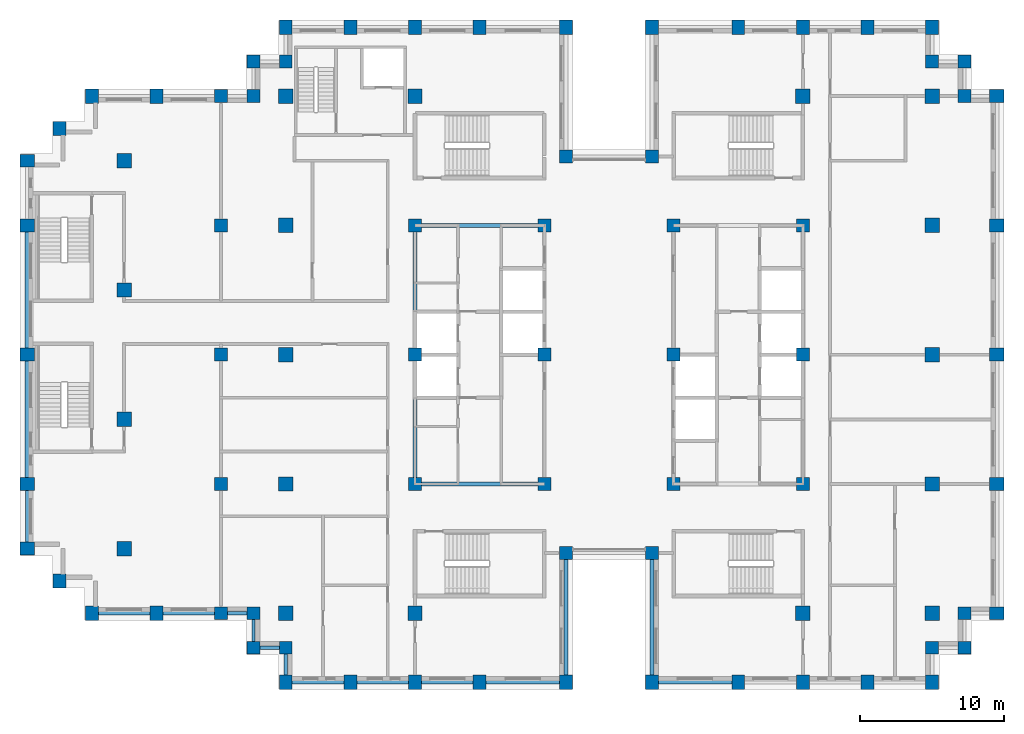
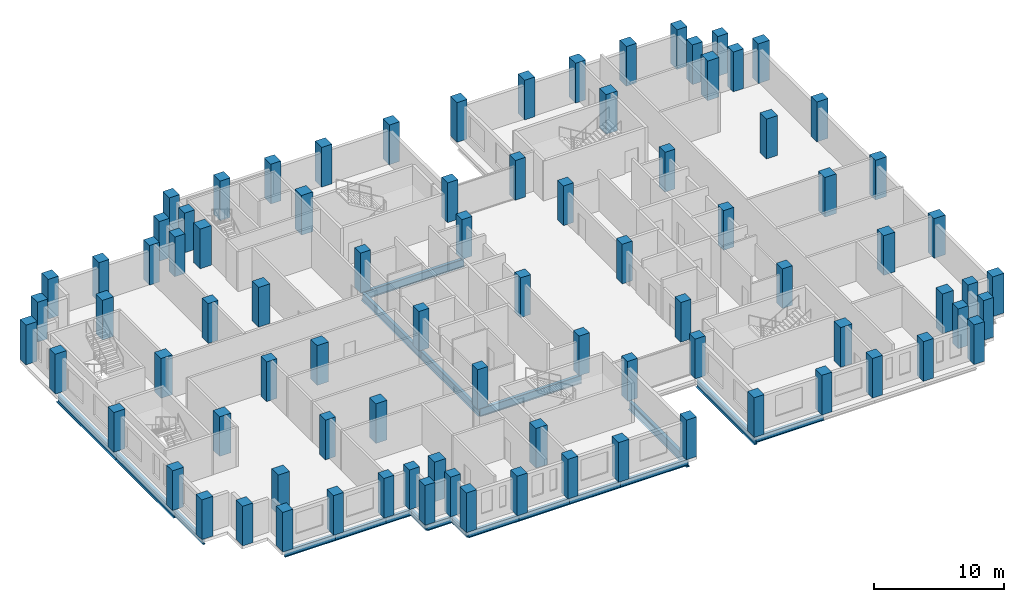
# One storey, part 1 of 15: 87 columns, 20 beams.
"""IFC4 building model written with IfcOpenShell, lengths in metres."""

from ifc_helpers import new_model, si_unit, direction, frame, origin, origin_2d, place, context, subcontext, project, spatial, rectangle, i_section, extrude, material, material_profile, profile_set, type_object, element, save


model = new_model("IFC4")

# Units and contexts
model_context = context("Model", 3, precision=1e-05, world=origin(), true_north=direction((0.0, 1.0)))
body_context = subcontext(model_context, "Body", "Model", "MODEL_VIEW")
ifc_project = project(units=[si_unit("LENGTHUNIT", "METRE"), si_unit("AREAUNIT", "SQUARE_METRE"), si_unit("VOLUMEUNIT", "CUBIC_METRE"), si_unit("PLANEANGLEUNIT", "RADIAN"), si_unit("MASSUNIT", "GRAM", prefix="KILO")], contexts=[model_context])

# Site, building, storey
site_placement = place(None, origin())
site = spatial("IfcSite", under=ifc_project, at=site_placement, CompositionType="ELEMENT")
building_placement = place(site_placement, origin())
building = spatial("IfcBuilding", under=site, at=building_placement, Name="Corbelhall Arena Tower", CompositionType="ELEMENT")
storey_placement = place(building_placement, frame((0.0, 0.0, 216.0)))
storey = spatial("IfcBuildingStorey", under=building, at=storey_placement, Name="L45", CompositionType="ELEMENT", Elevation=216.0)

# Columns
ifc_material_1 = material(Name="Concrete C80/95", Category="concrete")
ifc_material_profile_1 = material_profile(ifc_material_1, rectangle(XDim=1.0, YDim=1.0, at=origin_2d()))
ifc_profile_set_1 = profile_set([ifc_material_profile_1], Name="Concrete C80/95")
column_type_1 = type_object("IfcColumnType", Name="ST-COL-RC 1000x1000", PredefinedType="COLUMN", material=ifc_profile_set_1)
for number, where, z_axis, x_axis, name in (
    (1, (-33.75, 4.5, 0.0), (0.0, 0.0, 1.0), (1.0, 0.0, 0.0), "Column FIC+0450"),
    (2, (-33.75, 13.5, 0.0), (0.0, 0.0, 1.0), (1.0, 0.0, 0.0), "Column FIC+1350"),
    (3, (-33.75, -4.5, 0.0), (0.0, 0.0, 1.0), (1.0, 0.0, 0.0), "Column FIC-0450"),
    (4, (-33.75, -13.5, 0.0), (0.0, 0.0, 1.0), (1.0, 0.0, 0.0), "Column FIC-1350"),
    (5, (13.5, 18.0, 0.0), (0.0, 0.0, 1.0), (1.0, 0.0, 0.0), "Column IE13+1800"),
    (6, (13.5, -18.0, 0.0), (0.0, 0.0, 1.0), (1.0, 0.0, 0.0), "Column IE13-1800"),
    (7, (22.5, 0.0, 0.0), (0.0, 0.0, 1.0), (1.0, 0.0, 0.0), "Column IE22+0000"),
    (8, (22.5, 9.0, 0.0), (0.0, 0.0, 1.0), (1.0, 0.0, 0.0), "Column IE22+0900"),
    (9, (22.5, 18.0, 0.0), (0.0, 0.0, 1.0), (1.0, 0.0, 0.0), "Column IE22+1800"),
    (10, (22.5, -9.0, 0.0), (0.0, 0.0, 1.0), (1.0, 0.0, 0.0), "Column IE22-0900"),
    (11, (22.5, -18.0, 0.0), (0.0, 0.0, 1.0), (1.0, 0.0, 0.0), "Column IE22-1800"),
    (12, (-13.5, 18.0, 0.0), (0.0, 0.0, 1.0), (1.0, 0.0, 0.0), "Column IW13+1800"),
    (13, (-13.5, -18.0, 0.0), (0.0, 0.0, 1.0), (1.0, 0.0, 0.0), "Column IW13-1800"),
    (14, (-22.5, 0.0, 0.0), (0.0, 0.0, 1.0), (1.0, 0.0, 0.0), "Column IW22+0000"),
    (15, (-22.5, 9.0, 0.0), (0.0, 0.0, 1.0), (1.0, 0.0, 0.0), "Column IW22+0900"),
    (16, (-22.5, 18.0, 0.0), (0.0, 0.0, 1.0), (1.0, 0.0, 0.0), "Column IW22+1800"),
    (17, (-22.5, -9.0, 0.0), (0.0, 0.0, 1.0), (1.0, 0.0, 0.0), "Column IW22-0900"),
    (18, (-22.5, -18.0, 0.0), (0.0, 0.0, 1.0), (1.0, 0.0, 0.0), "Column IW22-1800"),
):
    element("IfcColumn", number, at=place(storey_placement, frame(where, z_axis=z_axis, x_axis=x_axis)), inside=storey, type_object=column_type_1, Name=name, PredefinedType="COLUMN", context=body_context, shape_type="SweptSolid", body=[
        extrude(rectangle(XDim=1.0, YDim=1.0, at=origin_2d()), origin(), (0.0, 0.0, 1.0), 3.719970703125),
    ])
ifc_material_profile_2 = material_profile(ifc_material_1, rectangle(XDim=0.89990234375, YDim=1.0, at=origin_2d()))
ifc_profile_set_2 = profile_set([ifc_material_profile_2], Name="Concrete C80/95")
column_type_2 = type_object("IfcColumnType", Name="ST-COL-RC 900x1000", PredefinedType="COLUMN", material=ifc_profile_set_2)
for number, where, z_axis, x_axis, name in (
    (19, (-40.5, 0.0, 0.0), (0.0, 0.0, 1.0), (0.0, 1.0, 0.0), "Column FC+0000"),
    (20, (-40.5, 9.0, 0.0), (0.0, 0.0, 1.0), (0.0, 1.0, 0.0), "Column FC+0900"),
    (21, (-40.5, 13.5, 0.0), (0.0, 0.0, 1.0), (0.0, 1.0, 0.0), "Column FC+1350"),
    (22, (-40.5, -9.0, 0.0), (0.0, 0.0, 1.0), (0.0, 1.0, 0.0), "Column FC-0900"),
    (23, (-40.5, -13.5, 0.0), (0.0, 0.0, 1.0), (0.0, 1.0, 0.0), "Column FC-1350"),
    (24, (-38.25, 15.75, 0.0), (0.0, 0.0, 1.0), (1.0, 0.0, 0.0), "Column FCCN"),
    (25, (-38.25, -15.75, 0.0), (0.0, 0.0, 1.0), (1.0, 0.0, 0.0), "Column FCCS"),
    (26, (-31.5, 18.0, 0.0), (0.0, 0.0, 1.0), (1.0, 0.0, 0.0), "Column FCN3150"),
    (27, (-36.0, 18.0, 0.0), (0.0, 0.0, 1.0), (1.0, 0.0, 0.0), "Column FCN3600"),
    (28, (-31.5, -18.0, 0.0), (0.0, 0.0, 1.0), (1.0, 0.0, 0.0), "Column FCS3150"),
    (29, (-36.0, -18.0, 0.0), (0.0, 0.0, 1.0), (1.0, 0.0, 0.0), "Column FCS3600"),
    (30, (27.0, 0.0, 0.0), (0.0, 0.0, 1.0), (0.0, 1.0, 0.0), "Column PE+0000"),
    (31, (27.0, 9.0, 0.0), (0.0, 0.0, 1.0), (0.0, 1.0, 0.0), "Column PE+0900"),
    (32, (27.0, 18.0, 0.0), (0.0, 0.0, 1.0), (0.0, 1.0, 0.0), "Column PE+1800"),
    (33, (27.0, -9.0, 0.0), (0.0, 0.0, 1.0), (0.0, 1.0, 0.0), "Column PE-0900"),
    (34, (27.0, -18.0, 0.0), (0.0, 0.0, 1.0), (0.0, 1.0, 0.0), "Column PE-1800"),
    (35, (3.0, 22.800048828125, 0.0), (0.0, 0.0, 1.0), (1.0, 0.0, 0.0), "Column PNE0300"),
    (36, (9.0, 22.800048828125, 0.0), (0.0, 0.0, 1.0), (1.0, 0.0, 0.0), "Column PNE0900"),
    (37, (13.5, 22.800048828125, 0.0), (0.0, 0.0, 1.0), (1.0, 0.0, 0.0), "Column PNE1350"),
    (38, (18.0, 22.800048828125, 0.0), (0.0, 0.0, 1.0), (1.0, 0.0, 0.0), "Column PNE1800"),
    (39, (22.5, 22.800048828125, 0.0), (0.0, 0.0, 1.0), (1.0, 0.0, 0.0), "Column PNE2250"),
    (40, (-3.0, 22.800048828125, 0.0), (0.0, 0.0, 1.0), (1.0, 0.0, 0.0), "Column PNW0300"),
    (41, (-9.0, 22.800048828125, 0.0), (0.0, 0.0, 1.0), (1.0, 0.0, 0.0), "Column PNW0900"),
    (42, (-13.5, 22.800048828125, 0.0), (0.0, 0.0, 1.0), (1.0, 0.0, 0.0), "Column PNW1350"),
    (43, (-18.0, 22.800048828125, 0.0), (0.0, 0.0, 1.0), (1.0, 0.0, 0.0), "Column PNW1800"),
    (44, (-22.5, 22.800048828125, 0.0), (0.0, 0.0, 1.0), (1.0, 0.0, 0.0), "Column PNW2250"),
    (45, (3.0, -22.800048828125, 0.0), (0.0, 0.0, 1.0), (1.0, 0.0, 0.0), "Column PSE0300"),
    (46, (9.0, -22.800048828125, 0.0), (0.0, 0.0, 1.0), (1.0, 0.0, 0.0), "Column PSE0900"),
    (47, (13.5, -22.800048828125, 0.0), (0.0, 0.0, 1.0), (1.0, 0.0, 0.0), "Column PSE1350"),
    (48, (18.0, -22.800048828125, 0.0), (0.0, 0.0, 1.0), (1.0, 0.0, 0.0), "Column PSE1800"),
    (49, (22.5, -22.800048828125, 0.0), (0.0, 0.0, 1.0), (1.0, 0.0, 0.0), "Column PSE2250"),
    (50, (-3.0, -22.800048828125, 0.0), (0.0, 0.0, 1.0), (1.0, 0.0, 0.0), "Column PSW0300"),
    (51, (-9.0, -22.800048828125, 0.0), (0.0, 0.0, 1.0), (1.0, 0.0, 0.0), "Column PSW0900"),
    (52, (-13.5, -22.800048828125, 0.0), (0.0, 0.0, 1.0), (1.0, 0.0, 0.0), "Column PSW1350"),
    (53, (-18.0, -22.800048828125, 0.0), (0.0, 0.0, 1.0), (1.0, 0.0, 0.0), "Column PSW1800"),
    (54, (-22.5, -22.800048828125, 0.0), (0.0, 0.0, 1.0), (1.0, 0.0, 0.0), "Column PSW2250"),
):
    element("IfcColumn", number, at=place(storey_placement, frame(where, z_axis=z_axis, x_axis=x_axis)), inside=storey, type_object=column_type_2, Name=name, PredefinedType="COLUMN", context=body_context, shape_type="SweptSolid", body=[
        extrude(rectangle(XDim=0.89990234375, YDim=1.0, at=origin_2d()), origin(), (0.0, 0.0, 1.0), 3.719970703125),
    ])
ifc_material_profile_3 = material_profile(ifc_material_1, rectangle(XDim=0.89990234375, YDim=0.89990234375, at=origin_2d()))
ifc_profile_set_3 = profile_set([ifc_material_profile_3], Name="Concrete C80/95")
column_type_3 = type_object("IfcColumnType", Name="ST-COL-RC 900x900", PredefinedType="COLUMN", material=ifc_profile_set_3)
for number, where, z_axis, x_axis, name in (
    (55, (4.5, 0.0, 0.0), (0.0, 0.0, 1.0), (1.0, 0.0, 0.0), "Column KE+0450+0000"),
    (56, (4.5, 9.0, 0.0), (0.0, 0.0, 1.0), (1.0, 0.0, 0.0), "Column KE+0450+0900"),
    (57, (4.5, -9.0, 0.0), (0.0, 0.0, 1.0), (1.0, 0.0, 0.0), "Column KE+0450-0900"),
    (58, (13.5, 0.0, 0.0), (0.0, 0.0, 1.0), (1.0, 0.0, 0.0), "Column KE+1350+0000"),
    (59, (13.5, 9.0, 0.0), (0.0, 0.0, 1.0), (1.0, 0.0, 0.0), "Column KE+1350+0900"),
    (60, (13.5, -9.0, 0.0), (0.0, 0.0, 1.0), (1.0, 0.0, 0.0), "Column KE+1350-0900"),
    (61, (-4.5, 0.0, 0.0), (0.0, 0.0, 1.0), (1.0, 0.0, 0.0), "Column KW-0450+0000"),
    (62, (-4.5, 9.0, 0.0), (0.0, 0.0, 1.0), (1.0, 0.0, 0.0), "Column KW-0450+0900"),
    (63, (-4.5, -9.0, 0.0), (0.0, 0.0, 1.0), (1.0, 0.0, 0.0), "Column KW-0450-0900"),
    (64, (-13.5, 0.0, 0.0), (0.0, 0.0, 1.0), (1.0, 0.0, 0.0), "Column KW-1350+0000"),
    (65, (-13.5, 9.0, 0.0), (0.0, 0.0, 1.0), (1.0, 0.0, 0.0), "Column KW-1350+0900"),
    (66, (-13.5, -9.0, 0.0), (0.0, 0.0, 1.0), (1.0, 0.0, 0.0), "Column KW-1350-0900"),
    (67, (-27.0, 0.0, 0.0), (0.0, 0.0, 1.0), (1.0, 0.0, 0.0), "Column PW+0000"),
    (68, (-27.0, 9.0, 0.0), (0.0, 0.0, 1.0), (1.0, 0.0, 0.0), "Column PW+0900"),
    (69, (-27.0, 18.0, 0.0), (0.0, 0.0, 1.0), (1.0, 0.0, 0.0), "Column PW+1800"),
    (70, (-27.0, -9.0, 0.0), (0.0, 0.0, 1.0), (1.0, 0.0, 0.0), "Column PW-0900"),
    (71, (-27.0, -18.0, 0.0), (0.0, 0.0, 1.0), (1.0, 0.0, 0.0), "Column PW-1800"),
    (72, (3.0, 13.800048828125, 0.0), (0.0, 0.0, 1.0), (1.0, 0.0, 0.0), "Column SLNE2"),
    (73, (-3.0, 13.800048828125, 0.0), (0.0, 0.0, 1.0), (1.0, 0.0, 0.0), "Column SLNW2"),
    (74, (3.0, -13.800048828125, 0.0), (0.0, 0.0, 1.0), (1.0, 0.0, 0.0), "Column SLSE2"),
    (75, (-3.0, -13.800048828125, 0.0), (0.0, 0.0, 1.0), (1.0, 0.0, 0.0), "Column SLSW2"),
    (76, (22.5, 20.39990234375, 0.0), (0.0, 0.0, 1.0), (1.0, 0.0, 0.0), "Column XNE1"),
    (77, (24.75, 20.39990234375, 0.0), (0.0, 0.0, 1.0), (1.0, 0.0, 0.0), "Column XNE2"),
    (78, (24.75, 18.0, 0.0), (0.0, 0.0, 1.0), (1.0, 0.0, 0.0), "Column XNE3"),
    (79, (-22.5, 20.39990234375, 0.0), (0.0, 0.0, 1.0), (1.0, 0.0, 0.0), "Column XNW1"),
    (80, (-24.75, 20.39990234375, 0.0), (0.0, 0.0, 1.0), (1.0, 0.0, 0.0), "Column XNW2"),
    (81, (-24.75, 18.0, 0.0), (0.0, 0.0, 1.0), (1.0, 0.0, 0.0), "Column XNW3"),
    (82, (22.5, -20.39990234375, 0.0), (0.0, 0.0, 1.0), (1.0, 0.0, 0.0), "Column XSE1"),
    (83, (24.75, -20.39990234375, 0.0), (0.0, 0.0, 1.0), (1.0, 0.0, 0.0), "Column XSE2"),
    (84, (24.75, -18.0, 0.0), (0.0, 0.0, 1.0), (1.0, 0.0, 0.0), "Column XSE3"),
    (85, (-22.5, -20.39990234375, 0.0), (0.0, 0.0, 1.0), (1.0, 0.0, 0.0), "Column XSW1"),
    (86, (-24.75, -20.39990234375, 0.0), (0.0, 0.0, 1.0), (1.0, 0.0, 0.0), "Column XSW2"),
    (87, (-24.75, -18.0, 0.0), (0.0, 0.0, 1.0), (1.0, 0.0, 0.0), "Column XSW3"),
):
    element("IfcColumn", number, at=place(storey_placement, frame(where, z_axis=z_axis, x_axis=x_axis)), inside=storey, type_object=column_type_3, Name=name, PredefinedType="COLUMN", context=body_context, shape_type="SweptSolid", body=[
        extrude(rectangle(XDim=0.89990234375, YDim=0.89990234375, at=origin_2d()), origin(), (0.0, 0.0, 1.0), 3.719970703125),
    ])

# Beams
ifc_material_2 = material(Name="Steel ASTM A992 Gr50", Category="steel")
ifc_material_profile_4 = material_profile(ifc_material_2, i_section(OverallWidth=0.2666015625, OverallDepth=0.761962890625, WebThickness=0.014404296875, FlangeThickness=0.021484375, at=origin_2d()))
ifc_profile_set_4 = profile_set([ifc_material_profile_4], Name="Steel ASTM A992 Gr50")
beam_type_1 = type_object("IfcBeamType", Name="ST-BEAM-W30x116", PredefinedType="BEAM", material=ifc_profile_set_4)
for number, where, z_axis, x_axis, name in (
    (88, (-13.5, -9.0, -0.660888671875), (0.0, 1.0, 0.0), (-1.0, 0.0, 0.0), "Beam CEW 1"),
    (89, (-13.5, 0.0, -0.660888671875), (0.0, 1.0, 0.0), (-1.0, 0.0, 0.0), "Beam CEW 2"),
    (90, (-13.5, -9.0, -0.660888671875), (1.0, 0.0, 0.0), (0.0, 1.0, 0.0), "Beam CEW 5"),
    (91, (-13.5, 9.0, -0.660888671875), (1.0, 0.0, 0.0), (0.0, 1.0, 0.0), "Beam CEW 6"),
):
    element("IfcBeam", number, at=place(storey_placement, frame(where, z_axis=z_axis, x_axis=x_axis)), inside=storey, type_object=beam_type_1, Name=name, PredefinedType="BEAM", context=body_context, shape_type="SweptSolid", body=[
        extrude(i_section(OverallWidth=0.2666015625, OverallDepth=0.761962890625, WebThickness=0.014404296875, FlangeThickness=0.021484375, at=origin_2d()), origin(), (0.0, 0.0, 1.0), 9.0),
    ])
ifc_material_profile_5 = material_profile(ifc_material_2, i_section(OverallWidth=0.228271484375, OverallDepth=0.607177734375, WebThickness=0.01123046875, FlangeThickness=0.017333984375, at=origin_2d()))
ifc_profile_set_5 = profile_set([ifc_material_profile_5], Name="Steel ASTM A992 Gr50")
beam_type_2 = type_object("IfcBeamType", Name="ST-SPANDREL-W24x76", PredefinedType="SPANDREL", material=ifc_profile_set_5)
for number, where, z_axis, x_axis, name in (
    (92, (-40.5, -13.5, -0.58349609375), (0.0, 1.0, 0.0), (-1.0, 0.0, 0.0), "Beam SP 4"),
    (93, (-31.5, -18.0, -0.58349609375), (-1.0, 0.0, 0.0), (0.0, -1.0, 0.0), "Beam SP 7"),
):
    element("IfcBeam", number, at=place(storey_placement, frame(where, z_axis=z_axis, x_axis=x_axis)), inside=storey, type_object=beam_type_2, Name=name, PredefinedType="SPANDREL", context=body_context, shape_type="SweptSolid", body=[
        extrude(i_section(OverallWidth=0.228271484375, OverallDepth=0.607177734375, WebThickness=0.01123046875, FlangeThickness=0.017333984375, at=origin_2d()), origin(), (0.0, 0.0, 1.0), 4.5),
    ])
for number, where, z_axis, x_axis, name in (
    (94, (9.0, -22.800048828125, -0.58349609375), (-1.0, 0.0, 0.0), (0.0, -1.0, 0.0), "Beam SP 24"),
    (95, (-3.0, -22.800048828125, -0.58349609375), (-1.0, 0.0, 0.0), (0.0, -1.0, 0.0), "Beam SP 28"),
):
    element("IfcBeam", number, at=place(storey_placement, frame(where, z_axis=z_axis, x_axis=x_axis)), inside=storey, type_object=beam_type_2, Name=name, PredefinedType="SPANDREL", context=body_context, shape_type="SweptSolid", body=[
        extrude(i_section(OverallWidth=0.228271484375, OverallDepth=0.607177734375, WebThickness=0.01123046875, FlangeThickness=0.017333984375, at=origin_2d()), origin(), (0.0, 0.0, 1.0), 6.0),
    ])
for number, where, z_axis, x_axis, name in (
    (96, (-9.0, -22.800048828125, -0.58349609375), (-1.0, 0.0, 0.0), (0.0, -1.0, 0.0), "Beam SP 29"),
    (97, (-13.5, -22.800048828125, -0.58349609375), (-1.0, 0.0, 0.0), (0.0, -1.0, 0.0), "Beam SP 30"),
    (98, (-18.0, -22.800048828125, -0.58349609375), (-1.0, 0.0, 0.0), (0.0, -1.0, 0.0), "Beam SP 31"),
):
    element("IfcBeam", number, at=place(storey_placement, frame(where, z_axis=z_axis, x_axis=x_axis)), inside=storey, type_object=beam_type_2, Name=name, PredefinedType="SPANDREL", context=body_context, shape_type="SweptSolid", body=[
        extrude(i_section(OverallWidth=0.228271484375, OverallDepth=0.607177734375, WebThickness=0.01123046875, FlangeThickness=0.017333984375, at=origin_2d()), origin(), (0.0, 0.0, 1.0), 4.5),
    ])
beam_1_placement = place(storey_placement, frame((-22.5, -22.800048828125, -0.58349609375), z_axis=(0.0, 1.0, 0.0), x_axis=(-1.0, 0.0, 0.0)))
element("IfcBeam", 99, at=beam_1_placement, inside=storey, type_object=beam_type_2, Name="Beam SP 32", PredefinedType="SPANDREL", context=body_context, shape_type="SweptSolid", body=[
    extrude(i_section(OverallWidth=0.228271484375, OverallDepth=0.607177734375, WebThickness=0.01123046875, FlangeThickness=0.017333984375, at=origin_2d()), origin(), (0.0, 0.0, 1.0), 2.400146484375),
])
beam_2_placement = place(storey_placement, frame((-27.0, -18.0, -0.58349609375), z_axis=(-1.0, 0.0, 0.0), x_axis=(0.0, -1.0, 0.0)))
element("IfcBeam", 100, at=beam_2_placement, inside=storey, type_object=beam_type_2, Name="Beam SP 34", PredefinedType="SPANDREL", context=body_context, shape_type="SweptSolid", body=[
    extrude(i_section(OverallWidth=0.228271484375, OverallDepth=0.607177734375, WebThickness=0.01123046875, FlangeThickness=0.017333984375, at=origin_2d()), origin(), (0.0, 0.0, 1.0), 4.5),
])
beam_3_placement = place(storey_placement, frame((-22.5, -20.39990234375, -0.58349609375), z_axis=(-1.0, 0.0, 0.0), x_axis=(0.0, -1.0, 0.0)))
element("IfcBeam", 101, at=beam_3_placement, inside=storey, type_object=beam_type_2, Name="Beam SP 48", PredefinedType="SPANDREL", context=body_context, shape_type="SweptSolid", body=[
    extrude(i_section(OverallWidth=0.228271484375, OverallDepth=0.607177734375, WebThickness=0.01123046875, FlangeThickness=0.017333984375, at=origin_2d()), origin(), (0.0, 0.0, 1.0), 2.25),
])
beam_4_placement = place(storey_placement, frame((-24.75, -20.39990234375, -0.58349609375), z_axis=(0.0, 1.0, 0.0), x_axis=(-1.0, 0.0, 0.0)))
element("IfcBeam", 102, at=beam_4_placement, inside=storey, type_object=beam_type_2, Name="Beam SP 49", PredefinedType="SPANDREL", context=body_context, shape_type="SweptSolid", body=[
    extrude(i_section(OverallWidth=0.228271484375, OverallDepth=0.607177734375, WebThickness=0.01123046875, FlangeThickness=0.017333984375, at=origin_2d()), origin(), (0.0, 0.0, 1.0), 2.39990234375),
])
beam_5_placement = place(storey_placement, frame((-24.75, -18.0, -0.58349609375), z_axis=(-1.0, 0.0, 0.0), x_axis=(0.0, -1.0, 0.0)))
element("IfcBeam", 103, at=beam_5_placement, inside=storey, type_object=beam_type_2, Name="Beam SP 50", PredefinedType="SPANDREL", context=body_context, shape_type="SweptSolid", body=[
    extrude(i_section(OverallWidth=0.228271484375, OverallDepth=0.607177734375, WebThickness=0.01123046875, FlangeThickness=0.017333984375, at=origin_2d()), origin(), (0.0, 0.0, 1.0), 2.25),
])
ifc_material_profile_6 = material_profile(ifc_material_2, i_section(OverallWidth=0.2919921875, OverallDepth=0.845703125, WebThickness=0.015380859375, FlangeThickness=0.0244140625, at=origin_2d()))
ifc_profile_set_6 = profile_set([ifc_material_profile_6], Name="Steel ASTM A992 Gr50")
beam_type_3 = type_object("IfcBeamType", Name="ST-SPANDREL-W33x141", PredefinedType="SPANDREL", material=ifc_profile_set_6)
for number, where, z_axis, x_axis, name in (
    (104, (-40.5, 0.0, -0.702880859375), (0.0, 1.0, 0.0), (-1.0, 0.0, 0.0), "Beam SP 1"),
    (105, (-40.5, -9.0, -0.702880859375), (0.0, 1.0, 0.0), (-1.0, 0.0, 0.0), "Beam SP 3"),
    (106, (3.0, -22.800048828125, -0.702880859375), (0.0, 1.0, 0.0), (-1.0, 0.0, 0.0), "Beam SP 23"),
    (107, (-3.0, -13.800048828125, -0.702880859375), (0.0, -1.0, 0.0), (1.0, 0.0, 0.0), "Beam SP 38"),
):
    element("IfcBeam", number, at=place(storey_placement, frame(where, z_axis=z_axis, x_axis=x_axis)), inside=storey, type_object=beam_type_3, Name=name, PredefinedType="SPANDREL", context=body_context, shape_type="SweptSolid", body=[
        extrude(i_section(OverallWidth=0.2919921875, OverallDepth=0.845703125, WebThickness=0.015380859375, FlangeThickness=0.0244140625, at=origin_2d()), origin(), (0.0, 0.0, 1.0), 9.0),
    ])

save(model, "model.ifc")
